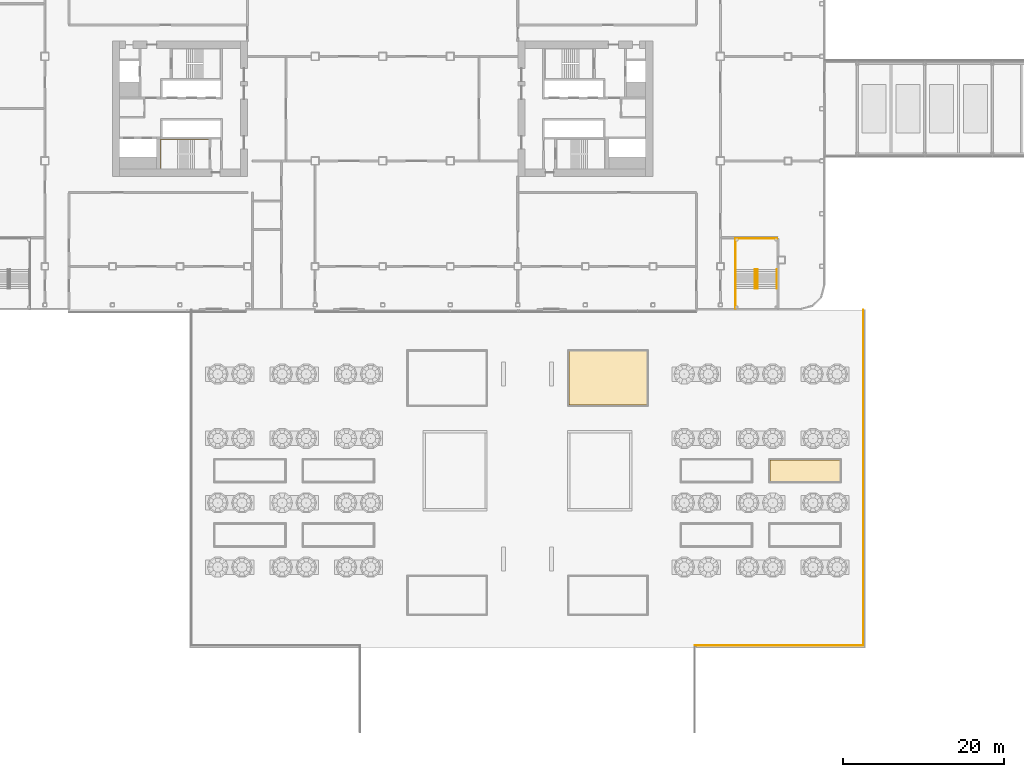
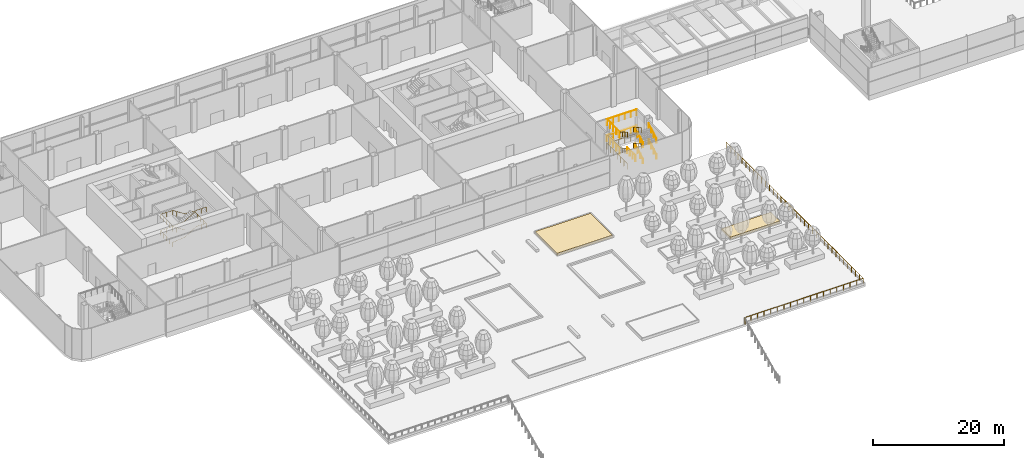
# One storey, part 87 of 100: 16 railings, 2 coverings.
"""IFC4 building model written with IfcOpenShell, lengths in metres."""

from ifc_helpers import new_model, si_unit, direction, frame, origin, origin_2d, place, context, subcontext, project, spatial, polyline, circle, outline, extrude, material, layer, layer_set, type_object, element, save


model = new_model("IFC4")

# Units and contexts
model_context = context("Model", 3, precision=1e-05, world=origin(), true_north=direction((0.0, 1.0)))
body_context = subcontext(model_context, "Body", "Model", "MODEL_VIEW")
ifc_project = project(units=[si_unit("LENGTHUNIT", "METRE"), si_unit("AREAUNIT", "SQUARE_METRE"), si_unit("VOLUMEUNIT", "CUBIC_METRE"), si_unit("PLANEANGLEUNIT", "RADIAN"), si_unit("MASSUNIT", "GRAM", prefix="KILO")], contexts=[model_context])

# Site, building, storey
site_placement = place(None, origin())
site = spatial("IfcSite", under=ifc_project, at=site_placement, CompositionType="ELEMENT")
building_placement = place(site_placement, origin())
building = spatial("IfcBuilding", under=site, at=building_placement, Name="Hakoniwa Tower and Hamabe Station Hall", CompositionType="ELEMENT")
storey_placement = place(building_placement, frame((0.0, 0.0, 9.0)))
storey = spatial("IfcBuildingStorey", under=building, at=storey_placement, Name="L02", CompositionType="ELEMENT", Elevation=9.0)

# Coverings
ifc_material_1 = material(Name="Planting soil and lawn")
ifc_layer_1 = layer(ifc_material_1, 0.39990234375)
ifc_layer_set_1 = layer_set([ifc_layer_1], Name="DECK BED LAWN 400")
covering_type_1 = type_object("IfcCoveringType", Name="DECK BED LAWN 400", PredefinedType="USERDEFINED", material=ifc_layer_set_1)
covering_1_placement = place(storey_placement, origin())
element("IfcCovering", 1, at=covering_1_placement, inside=storey, type_object=covering_type_1, Name="Lawn planting bed 04", ObjectType="PLANTING BED", PredefinedType="USERDEFINED", context=body_context, shape_type="SweptSolid", body=[
    extrude(outline(polyline([(23.14990234375, -36.85009765625), (32.85009765625, -36.85009765625), (32.85009765625, -30.14990234375), (23.14990234375, -30.14990234375), (23.14990234375, -36.85009765625)])), origin(), (0.0, 0.0, 1.0), 0.39990234375),
])
ifc_material_2 = material(Name="Shrub planting")
ifc_layer_2 = layer(ifc_material_2, 0.39990234375)
ifc_layer_set_2 = layer_set([ifc_layer_2], Name="DECK BED SHRUB 400")
covering_type_2 = type_object("IfcCoveringType", Name="DECK BED SHRUB 400", PredefinedType="USERDEFINED", material=ifc_layer_set_2)
covering_2_placement = place(storey_placement, origin())
element("IfcCovering", 2, at=covering_2_placement, inside=storey, type_object=covering_type_2, Name="Shrub planting bed 10", ObjectType="PLANTING BED", PredefinedType="USERDEFINED", context=body_context, shape_type="SweptSolid", body=[
    extrude(outline(polyline([(48.14990234375, -46.35009765625), (56.85009765625, -46.35009765625), (56.85009765625, -43.64990234375), (48.14990234375, -43.64990234375), (48.14990234375, -46.35009765625)])), origin(), (0.0, 0.0, 1.0), 0.39990234375),
])

# Railings
ifc_material_3 = material(Name="Stainless steel and glass", Category="steel")
railing_type_1 = type_object("IfcRailingType", Name="GUARD 1100", PredefinedType="GUARDRAIL", material=ifc_material_3)
railing_1_placement = place(storey_placement, frame((59.75, -25.0, 0.0)))
element("IfcRailing", 3, at=railing_1_placement, inside=storey, type_object=railing_type_1, Name="Deck guard east edge", PredefinedType="GUARDRAIL", context=body_context, shape_type="SweptSolid", body=[
    extrude(circle(Radius=0.02392578125, at=origin_2d()), frame((0.0, 0.0, 1.076171875), z_axis=(0.0, -1.0, 0.0), x_axis=(1.0, 0.0, 0.0)), (0.0, 0.0, 1.0), 41.75),
    extrude(circle(Radius=0.02392578125, at=origin_2d()), frame((0.0, -41.75, 1.076171875), z_axis=(-1.0, 0.0, 0.0), x_axis=(0.0, -1.0, 0.0)), (0.0, 0.0, 1.0), 20.949951171875),
    extrude(circle(Radius=0.02392578125, at=origin_2d()), frame((-20.949951171875, -41.75, 1.076171875), z_axis=(0.0, -1.0, 0.0), x_axis=(1.0, 0.0, 0.0)), (0.0, 0.0, 1.0), 0.25),
    extrude(circle(Radius=0.02099609375, at=origin_2d()), origin(), (0.0, 0.0, 1.0), 1.052001953125),
    extrude(circle(Radius=0.02099609375, at=origin_2d()), frame((0.0, -1.19287109375, 0.0)), (0.0, 0.0, 1.0), 1.052001953125),
    extrude(circle(Radius=0.02099609375, at=origin_2d()), frame((0.0, -2.3857421875, 0.0)), (0.0, 0.0, 1.0), 1.052001953125),
    extrude(circle(Radius=0.02099609375, at=origin_2d()), frame((0.0, -3.57861328125, 0.0)), (0.0, 0.0, 1.0), 1.052001953125),
    extrude(circle(Radius=0.02099609375, at=origin_2d()), frame((0.0, -4.771484375, 0.0)), (0.0, 0.0, 1.0), 1.052001953125),
    extrude(circle(Radius=0.02099609375, at=origin_2d()), frame((0.0, -5.96435546875, 0.0)), (0.0, 0.0, 1.0), 1.052001953125),
    extrude(circle(Radius=0.02099609375, at=origin_2d()), frame((0.0, -7.1572265625, 0.0)), (0.0, 0.0, 1.0), 1.052001953125),
    extrude(circle(Radius=0.02099609375, at=origin_2d()), frame((0.0, -8.35009765625, 0.0)), (0.0, 0.0, 1.0), 1.052001953125),
    extrude(circle(Radius=0.02099609375, at=origin_2d()), frame((0.0, -9.54296875, 0.0)), (0.0, 0.0, 1.0), 1.052001953125),
    extrude(circle(Radius=0.02099609375, at=origin_2d()), frame((0.0, -10.735595703125, 0.0)), (0.0, 0.0, 1.0), 1.052001953125),
    extrude(circle(Radius=0.02099609375, at=origin_2d()), frame((0.0, -11.928466796875, 0.0)), (0.0, 0.0, 1.0), 1.052001953125),
    extrude(circle(Radius=0.02099609375, at=origin_2d()), frame((0.0, -13.121337890625, 0.0)), (0.0, 0.0, 1.0), 1.052001953125),
    extrude(circle(Radius=0.02099609375, at=origin_2d()), frame((0.0, -14.314208984375, 0.0)), (0.0, 0.0, 1.0), 1.052001953125),
    extrude(circle(Radius=0.02099609375, at=origin_2d()), frame((0.0, -15.507080078125, 0.0)), (0.0, 0.0, 1.0), 1.052001953125),
    extrude(circle(Radius=0.02099609375, at=origin_2d()), frame((0.0, -16.699951171875, 0.0)), (0.0, 0.0, 1.0), 1.052001953125),
    extrude(circle(Radius=0.02099609375, at=origin_2d()), frame((0.0, -17.892822265625, 0.0)), (0.0, 0.0, 1.0), 1.052001953125),
    extrude(circle(Radius=0.02099609375, at=origin_2d()), frame((0.0, -19.085693359375, 0.0)), (0.0, 0.0, 1.0), 1.052001953125),
    extrude(circle(Radius=0.02099609375, at=origin_2d()), frame((0.0, -20.278564453125, 0.0)), (0.0, 0.0, 1.0), 1.052001953125),
    extrude(circle(Radius=0.02099609375, at=origin_2d()), frame((0.0, -21.471435546875, 0.0)), (0.0, 0.0, 1.0), 1.052001953125),
    extrude(circle(Radius=0.02099609375, at=origin_2d()), frame((0.0, -22.664306640625, 0.0)), (0.0, 0.0, 1.0), 1.052001953125),
    extrude(circle(Radius=0.02099609375, at=origin_2d()), frame((0.0, -23.857177734375, 0.0)), (0.0, 0.0, 1.0), 1.052001953125),
    extrude(circle(Radius=0.02099609375, at=origin_2d()), frame((0.0, -25.050048828125, 0.0)), (0.0, 0.0, 1.0), 1.052001953125),
    extrude(circle(Radius=0.02099609375, at=origin_2d()), frame((0.0, -26.242919921875, 0.0)), (0.0, 0.0, 1.0), 1.052001953125),
    extrude(circle(Radius=0.02099609375, at=origin_2d()), frame((0.0, -27.435791015625, 0.0)), (0.0, 0.0, 1.0), 1.052001953125),
    extrude(circle(Radius=0.02099609375, at=origin_2d()), frame((0.0, -28.628662109375, 0.0)), (0.0, 0.0, 1.0), 1.052001953125),
    extrude(circle(Radius=0.02099609375, at=origin_2d()), frame((0.0, -29.821533203125, 0.0)), (0.0, 0.0, 1.0), 1.052001953125),
    extrude(circle(Radius=0.02099609375, at=origin_2d()), frame((0.0, -31.014404296875, 0.0)), (0.0, 0.0, 1.0), 1.052001953125),
    extrude(circle(Radius=0.02099609375, at=origin_2d()), frame((0.0, -32.20703125, 0.0)), (0.0, 0.0, 1.0), 1.052001953125),
    extrude(circle(Radius=0.02099609375, at=origin_2d()), frame((0.0, -33.39990234375, 0.0)), (0.0, 0.0, 1.0), 1.052001953125),
    extrude(circle(Radius=0.02099609375, at=origin_2d()), frame((0.0, -34.5927734375, 0.0)), (0.0, 0.0, 1.0), 1.052001953125),
    extrude(circle(Radius=0.02099609375, at=origin_2d()), frame((0.0, -35.78564453125, 0.0)), (0.0, 0.0, 1.0), 1.052001953125),
    extrude(circle(Radius=0.02099609375, at=origin_2d()), frame((0.0, -36.978515625, 0.0)), (0.0, 0.0, 1.0), 1.052001953125),
    extrude(circle(Radius=0.02099609375, at=origin_2d()), frame((0.0, -38.17138671875, 0.0)), (0.0, 0.0, 1.0), 1.052001953125),
    extrude(circle(Radius=0.02099609375, at=origin_2d()), frame((0.0, -39.3642578125, 0.0)), (0.0, 0.0, 1.0), 1.052001953125),
    extrude(circle(Radius=0.02099609375, at=origin_2d()), frame((0.0, -40.55712890625, 0.0)), (0.0, 0.0, 1.0), 1.052001953125),
    extrude(circle(Radius=0.02099609375, at=origin_2d()), frame((0.0, -41.75, 0.0)), (0.0, 0.0, 1.0), 1.052001953125),
    extrude(circle(Radius=0.02099609375, at=origin_2d()), frame((-1.163818359375, -41.75, 0.0)), (0.0, 0.0, 1.0), 1.052001953125),
    extrude(circle(Radius=0.02099609375, at=origin_2d()), frame((-2.327880859375, -41.75, 0.0)), (0.0, 0.0, 1.0), 1.052001953125),
    extrude(circle(Radius=0.02099609375, at=origin_2d()), frame((-3.49169921875, -41.75, 0.0)), (0.0, 0.0, 1.0), 1.052001953125),
    extrude(circle(Radius=0.02099609375, at=origin_2d()), frame((-4.655517578125, -41.75, 0.0)), (0.0, 0.0, 1.0), 1.052001953125),
    extrude(circle(Radius=0.02099609375, at=origin_2d()), frame((-5.8193359375, -41.75, 0.0)), (0.0, 0.0, 1.0), 1.052001953125),
    extrude(circle(Radius=0.02099609375, at=origin_2d()), frame((-6.9833984375, -41.75, 0.0)), (0.0, 0.0, 1.0), 1.052001953125),
    extrude(circle(Radius=0.02099609375, at=origin_2d()), frame((-8.147216796875, -41.75, 0.0)), (0.0, 0.0, 1.0), 1.052001953125),
    extrude(circle(Radius=0.02099609375, at=origin_2d()), frame((-9.31103515625, -41.75, 0.0)), (0.0, 0.0, 1.0), 1.052001953125),
    extrude(circle(Radius=0.02099609375, at=origin_2d()), frame((-10.47509765625, -41.75, 0.0)), (0.0, 0.0, 1.0), 1.052001953125),
    extrude(circle(Radius=0.02099609375, at=origin_2d()), frame((-11.638916015625, -41.75, 0.0)), (0.0, 0.0, 1.0), 1.052001953125),
    extrude(circle(Radius=0.02099609375, at=origin_2d()), frame((-12.802734375, -41.75, 0.0)), (0.0, 0.0, 1.0), 1.052001953125),
    extrude(circle(Radius=0.02099609375, at=origin_2d()), frame((-13.966552734375, -41.75, 0.0)), (0.0, 0.0, 1.0), 1.052001953125),
    extrude(circle(Radius=0.02099609375, at=origin_2d()), frame((-15.130615234375, -41.75, 0.0)), (0.0, 0.0, 1.0), 1.052001953125),
    extrude(circle(Radius=0.02099609375, at=origin_2d()), frame((-16.29443359375, -41.75, 0.0)), (0.0, 0.0, 1.0), 1.052001953125),
    extrude(circle(Radius=0.02099609375, at=origin_2d()), frame((-17.458251953125, -41.75, 0.0)), (0.0, 0.0, 1.0), 1.052001953125),
    extrude(circle(Radius=0.02099609375, at=origin_2d()), frame((-18.6220703125, -41.75, 0.0)), (0.0, 0.0, 1.0), 1.052001953125),
    extrude(circle(Radius=0.02099609375, at=origin_2d()), frame((-19.7861328125, -41.75, 0.0)), (0.0, 0.0, 1.0), 1.052001953125),
    extrude(circle(Radius=0.02099609375, at=origin_2d()), frame((-20.949951171875, -41.75, 0.0)), (0.0, 0.0, 1.0), 1.052001953125),
    extrude(circle(Radius=0.02099609375, at=origin_2d()), frame((-20.949951171875, -42.0, 0.0)), (0.0, 0.0, 1.0), 1.052001953125),
])
railing_2_placement = place(storey_placement, frame((43.85009765625, -20.010009765625, 1.5)))
element("IfcRailing", 4, at=railing_2_placement, inside=storey, type_object=railing_type_1, Name="Guard at landing PS3 1", PredefinedType="GUARDRAIL", context=body_context, shape_type="SweptSolid", body=[
    extrude(circle(Radius=0.02392578125, at=origin_2d()), frame((0.0, 0.0, 1.076171875), z_axis=(0.0, 1.0, 0.0), x_axis=(-1.0, 0.0, 0.0)), (0.0, 0.0, 1.0), 3.860107421875),
    extrude(circle(Radius=0.02099609375, at=origin_2d()), origin(), (0.0, 0.0, 1.0), 1.052001953125),
    extrude(circle(Radius=0.02099609375, at=origin_2d()), frame((0.0, 0.965087890625, 0.0)), (0.0, 0.0, 1.0), 1.052001953125),
    extrude(circle(Radius=0.02099609375, at=origin_2d()), frame((0.0, 1.93017578125, 0.0)), (0.0, 0.0, 1.0), 1.052001953125),
    extrude(circle(Radius=0.02099609375, at=origin_2d()), frame((0.0, 2.89501953125, 0.0)), (0.0, 0.0, 1.0), 1.052001953125),
    extrude(circle(Radius=0.02099609375, at=origin_2d()), frame((0.0, 3.860107421875, 0.0)), (0.0, 0.0, 1.0), 1.052001953125),
])
railing_3_placement = place(storey_placement, frame((49.050048828125, -16.14990234375, 1.5)))
element("IfcRailing", 5, at=railing_3_placement, inside=storey, type_object=railing_type_1, Name="Guard at landing PS3 2", PredefinedType="GUARDRAIL", context=body_context, shape_type="SweptSolid", body=[
    extrude(circle(Radius=0.02392578125, at=origin_2d()), frame((0.0, 0.0, 1.076171875), z_axis=(-1.0, 0.0, 0.0), x_axis=(0.0, -1.0, 0.0)), (0.0, 0.0, 1.0), 5.199951171875),
    extrude(circle(Radius=0.02099609375, at=origin_2d()), origin(), (0.0, 0.0, 1.0), 1.052001953125),
    extrude(circle(Radius=0.02099609375, at=origin_2d()), frame((-1.0400390625, 0.0, 0.0)), (0.0, 0.0, 1.0), 1.052001953125),
    extrude(circle(Radius=0.02099609375, at=origin_2d()), frame((-2.080078125, 0.0, 0.0)), (0.0, 0.0, 1.0), 1.052001953125),
    extrude(circle(Radius=0.02099609375, at=origin_2d()), frame((-3.119873046875, 0.0, 0.0)), (0.0, 0.0, 1.0), 1.052001953125),
    extrude(circle(Radius=0.02099609375, at=origin_2d()), frame((-4.159912109375, 0.0, 0.0)), (0.0, 0.0, 1.0), 1.052001953125),
    extrude(circle(Radius=0.02099609375, at=origin_2d()), frame((-5.199951171875, 0.0, 0.0)), (0.0, 0.0, 1.0), 1.052001953125),
])
railing_4_placement = place(storey_placement, frame((43.85009765625, -24.85009765625, 3.0)))
element("IfcRailing", 6, at=railing_4_placement, inside=storey, type_object=railing_type_1, Name="Guard at landing PS3 3", PredefinedType="GUARDRAIL", context=body_context, shape_type="SweptSolid", body=[
    extrude(circle(Radius=0.02392578125, at=origin_2d()), frame((0.0, 0.0, 1.076171875), z_axis=(0.0, 1.0, 0.0), x_axis=(-1.0, 0.0, 0.0)), (0.0, 0.0, 1.0), 2.5),
    extrude(circle(Radius=0.02099609375, at=origin_2d()), origin(), (0.0, 0.0, 1.0), 1.052001953125),
    extrude(circle(Radius=0.02099609375, at=origin_2d()), frame((0.0, 0.833251953125, 0.0)), (0.0, 0.0, 1.0), 1.052001953125),
    extrude(circle(Radius=0.02099609375, at=origin_2d()), frame((0.0, 1.666748046875, 0.0)), (0.0, 0.0, 1.0), 1.052001953125),
    extrude(circle(Radius=0.02099609375, at=origin_2d()), frame((0.0, 2.5, 0.0)), (0.0, 0.0, 1.0), 1.052001953125),
])
railing_5_placement = place(storey_placement, frame((43.85009765625, -20.010009765625, 4.5)))
element("IfcRailing", 7, at=railing_5_placement, inside=storey, type_object=railing_type_1, Name="Guard at landing PS3 4", PredefinedType="GUARDRAIL", context=body_context, shape_type="SweptSolid", body=[
    extrude(circle(Radius=0.02392578125, at=origin_2d()), frame((0.0, 0.0, 1.076171875), z_axis=(0.0, 1.0, 0.0), x_axis=(-1.0, 0.0, 0.0)), (0.0, 0.0, 1.0), 3.860107421875),
    extrude(circle(Radius=0.02099609375, at=origin_2d()), origin(), (0.0, 0.0, 1.0), 1.052001953125),
    extrude(circle(Radius=0.02099609375, at=origin_2d()), frame((0.0, 0.965087890625, 0.0)), (0.0, 0.0, 1.0), 1.052001953125),
    extrude(circle(Radius=0.02099609375, at=origin_2d()), frame((0.0, 1.93017578125, 0.0)), (0.0, 0.0, 1.0), 1.052001953125),
    extrude(circle(Radius=0.02099609375, at=origin_2d()), frame((0.0, 2.89501953125, 0.0)), (0.0, 0.0, 1.0), 1.052001953125),
    extrude(circle(Radius=0.02099609375, at=origin_2d()), frame((0.0, 3.860107421875, 0.0)), (0.0, 0.0, 1.0), 1.052001953125),
])
railing_6_placement = place(storey_placement, frame((49.050048828125, -16.14990234375, 4.5)))
element("IfcRailing", 8, at=railing_6_placement, inside=storey, type_object=railing_type_1, Name="Guard at landing PS3 5", PredefinedType="GUARDRAIL", context=body_context, shape_type="SweptSolid", body=[
    extrude(circle(Radius=0.02392578125, at=origin_2d()), frame((0.0, 0.0, 1.076171875), z_axis=(-1.0, 0.0, 0.0), x_axis=(0.0, -1.0, 0.0)), (0.0, 0.0, 1.0), 5.199951171875),
    extrude(circle(Radius=0.02099609375, at=origin_2d()), origin(), (0.0, 0.0, 1.0), 1.052001953125),
    extrude(circle(Radius=0.02099609375, at=origin_2d()), frame((-1.0400390625, 0.0, 0.0)), (0.0, 0.0, 1.0), 1.052001953125),
    extrude(circle(Radius=0.02099609375, at=origin_2d()), frame((-2.080078125, 0.0, 0.0)), (0.0, 0.0, 1.0), 1.052001953125),
    extrude(circle(Radius=0.02099609375, at=origin_2d()), frame((-3.119873046875, 0.0, 0.0)), (0.0, 0.0, 1.0), 1.052001953125),
    extrude(circle(Radius=0.02099609375, at=origin_2d()), frame((-4.159912109375, 0.0, 0.0)), (0.0, 0.0, 1.0), 1.052001953125),
    extrude(circle(Radius=0.02099609375, at=origin_2d()), frame((-5.199951171875, 0.0, 0.0)), (0.0, 0.0, 1.0), 1.052001953125),
])
railing_7_placement = place(storey_placement, frame((43.85009765625, -22.340087890625, 0.0)))
element("IfcRailing", 9, at=railing_7_placement, inside=storey, type_object=railing_type_1, Name="Guard at stair well PS3", PredefinedType="GUARDRAIL", context=body_context, shape_type="SweptSolid", body=[
    extrude(circle(Radius=0.02392578125, at=origin_2d()), frame((0.0, 0.0, 1.076171875), z_axis=(0.0, 1.0, 0.0), x_axis=(-1.0, 0.0, 0.0)), (0.0, 0.0, 1.0), 6.190185546875),
    extrude(circle(Radius=0.02392578125, at=origin_2d()), frame((0.0, 6.190185546875, 1.076171875), z_axis=(1.0, 0.0, 0.0), x_axis=(0.0, 1.0, 0.0)), (0.0, 0.0, 1.0), 5.199951171875),
    extrude(circle(Radius=0.02099609375, at=origin_2d()), origin(), (0.0, 0.0, 1.0), 1.052001953125),
    extrude(circle(Radius=0.02099609375, at=origin_2d()), frame((0.0, 1.03173828125, 0.0)), (0.0, 0.0, 1.0), 1.052001953125),
    extrude(circle(Radius=0.02099609375, at=origin_2d()), frame((0.0, 2.0634765625, 0.0)), (0.0, 0.0, 1.0), 1.052001953125),
    extrude(circle(Radius=0.02099609375, at=origin_2d()), frame((0.0, 3.09521484375, 0.0)), (0.0, 0.0, 1.0), 1.052001953125),
    extrude(circle(Radius=0.02099609375, at=origin_2d()), frame((0.0, 4.126708984375, 0.0)), (0.0, 0.0, 1.0), 1.052001953125),
    extrude(circle(Radius=0.02099609375, at=origin_2d()), frame((0.0, 5.158447265625, 0.0)), (0.0, 0.0, 1.0), 1.052001953125),
    extrude(circle(Radius=0.02099609375, at=origin_2d()), frame((0.0, 6.190185546875, 0.0)), (0.0, 0.0, 1.0), 1.052001953125),
    extrude(circle(Radius=0.02099609375, at=origin_2d()), frame((1.0400390625, 6.190185546875, 0.0)), (0.0, 0.0, 1.0), 1.052001953125),
    extrude(circle(Radius=0.02099609375, at=origin_2d()), frame((2.080078125, 6.190185546875, 0.0)), (0.0, 0.0, 1.0), 1.052001953125),
    extrude(circle(Radius=0.02099609375, at=origin_2d()), frame((3.119873046875, 6.190185546875, 0.0)), (0.0, 0.0, 1.0), 1.052001953125),
    extrude(circle(Radius=0.02099609375, at=origin_2d()), frame((4.159912109375, 6.190185546875, 0.0)), (0.0, 0.0, 1.0), 1.052001953125),
    extrude(circle(Radius=0.02099609375, at=origin_2d()), frame((5.199951171875, 6.190185546875, 0.0)), (0.0, 0.0, 1.0), 1.052001953125),
])
ifc_material_4 = material(Name="Stainless steel SUS304", Category="steel")
railing_type_2 = type_object("IfcRailingType", Name="HANDRAIL 900", PredefinedType="HANDRAIL", material=ifc_material_4)
for number, where, name in (
    (10, (49.0, -22.35009765625, 0.14990234375), "Handrail PS3 1"),
    (11, (46.60009765625, -22.35009765625, 0.14990234375), "Handrail PS3 2"),
):
    element("IfcRailing", number, at=place(storey_placement, frame(where)), inside=storey, type_object=railing_type_2, Name=name, PredefinedType="HANDRAIL", context=body_context, shape_type="SweptSolid", body=[
        extrude(circle(Radius=0.02392578125, at=origin_2d()), frame((0.0, 0.0, 0.8759765625), z_axis=(0.0, 0.866178063635, 0.499735492113), x_axis=(-1.0, 0.0, 0.0)), (0.0, 0.0, 1.0), 2.70166015625),
        extrude(circle(Radius=0.02099609375, at=origin_2d()), origin(), (0.0, 0.0, 1.0), 0.851806640625),
        extrude(circle(Radius=0.02099609375, at=origin_2d()), frame((0.0, 0.780029296875, 0.449951171875)), (0.0, 0.0, 1.0), 0.851806640625),
        extrude(circle(Radius=0.02099609375, at=origin_2d()), frame((0.0, 1.56005859375, 0.900146484375)), (0.0, 0.0, 1.0), 0.851806640625),
        extrude(circle(Radius=0.02099609375, at=origin_2d()), frame((0.0, 2.340087890625, 1.35009765625)), (0.0, 0.0, 1.0), 0.851806640625),
    ])
for number, where, name in (
    (12, (46.300048828125, -20.010009765625, 1.64990234375), "Handrail PS3 3"),
    (13, (43.89990234375, -20.010009765625, 1.64990234375), "Handrail PS3 4"),
):
    element("IfcRailing", number, at=place(storey_placement, frame(where)), inside=storey, type_object=railing_type_2, Name=name, PredefinedType="HANDRAIL", context=body_context, shape_type="SweptSolid", body=[
        extrude(circle(Radius=0.02392578125, at=origin_2d()), frame((0.0, 0.0, 0.8759765625), z_axis=(0.0, -0.866178063635, 0.499735492113), x_axis=(1.0, 0.0, 0.0)), (0.0, 0.0, 1.0), 2.70166015625),
        extrude(circle(Radius=0.02099609375, at=origin_2d()), origin(), (0.0, 0.0, 1.0), 0.851806640625),
        extrude(circle(Radius=0.02099609375, at=origin_2d()), frame((0.0, -0.780029296875, 0.449951171875)), (0.0, 0.0, 1.0), 0.851806640625),
        extrude(circle(Radius=0.02099609375, at=origin_2d()), frame((0.0, -1.56005859375, 0.900146484375)), (0.0, 0.0, 1.0), 0.851806640625),
        extrude(circle(Radius=0.02099609375, at=origin_2d()), frame((0.0, -2.340087890625, 1.35009765625)), (0.0, 0.0, 1.0), 0.851806640625),
    ])
for number, where, name in (
    (14, (49.0, -22.35009765625, 3.14990234375), "Handrail PS3 5"),
    (15, (46.60009765625, -22.35009765625, 3.14990234375), "Handrail PS3 6"),
):
    element("IfcRailing", number, at=place(storey_placement, frame(where)), inside=storey, type_object=railing_type_2, Name=name, PredefinedType="HANDRAIL", context=body_context, shape_type="SweptSolid", body=[
        extrude(circle(Radius=0.02392578125, at=origin_2d()), frame((0.0, 0.0, 0.8759765625), z_axis=(0.0, 0.866178063635, 0.499735492113), x_axis=(-1.0, 0.0, 0.0)), (0.0, 0.0, 1.0), 2.70166015625),
        extrude(circle(Radius=0.02099609375, at=origin_2d()), origin(), (0.0, 0.0, 1.0), 0.851806640625),
        extrude(circle(Radius=0.02099609375, at=origin_2d()), frame((0.0, 0.780029296875, 0.449951171875)), (0.0, 0.0, 1.0), 0.851806640625),
        extrude(circle(Radius=0.02099609375, at=origin_2d()), frame((0.0, 1.56005859375, 0.900146484375)), (0.0, 0.0, 1.0), 0.851806640625),
        extrude(circle(Radius=0.02099609375, at=origin_2d()), frame((0.0, 2.340087890625, 1.35009765625)), (0.0, 0.0, 1.0), 0.851806640625),
    ])
for number, where, name in (
    (16, (46.300048828125, -20.010009765625, 4.64990234375), "Handrail PS3 7"),
    (17, (43.89990234375, -20.010009765625, 4.64990234375), "Handrail PS3 8"),
):
    element("IfcRailing", number, at=place(storey_placement, frame(where)), inside=storey, type_object=railing_type_2, Name=name, PredefinedType="HANDRAIL", context=body_context, shape_type="SweptSolid", body=[
        extrude(circle(Radius=0.02392578125, at=origin_2d()), frame((0.0, 0.0, 0.8759765625), z_axis=(0.0, -0.866178063635, 0.499735492113), x_axis=(1.0, 0.0, 0.0)), (0.0, 0.0, 1.0), 2.70166015625),
        extrude(circle(Radius=0.02099609375, at=origin_2d()), origin(), (0.0, 0.0, 1.0), 0.851806640625),
        extrude(circle(Radius=0.02099609375, at=origin_2d()), frame((0.0, -0.780029296875, 0.449951171875)), (0.0, 0.0, 1.0), 0.851806640625),
        extrude(circle(Radius=0.02099609375, at=origin_2d()), frame((0.0, -1.56005859375, 0.900146484375)), (0.0, 0.0, 1.0), 0.851806640625),
        extrude(circle(Radius=0.02099609375, at=origin_2d()), frame((0.0, -2.340087890625, 1.35009765625)), (0.0, 0.0, 1.0), 0.851806640625),
    ])
ifc_material_5 = material(Name="Stainless steel SUS304", Category="steel")
railing_type_3 = type_object("IfcRailingType", Name="STAIR HANDRAIL 900", PredefinedType="HANDRAIL", material=ifc_material_5)
railing_8_placement = place(storey_placement, frame((-23.39990234375, -3.81005859375, 0.166748046875)))
element("IfcRailing", 18, at=railing_8_placement, inside=storey, type_object=railing_type_3, Name="Handrail ST-2 L02 1", PredefinedType="HANDRAIL", context=body_context, shape_type="SweptSolid", body=[
    extrude(circle(Radius=0.02392578125, at=origin_2d()), frame((0.0, 0.0, 0.8759765625), z_axis=(-0.841903312325, 0.0, 0.539628402418), x_axis=(0.0, -1.0, 0.0)), (0.0, 0.0, 1.0), 2.470703125),
    extrude(circle(Radius=0.02392578125, at=origin_2d()), frame((-2.080078125, 0.0, 2.208984375), z_axis=(-1.0, 0.0, 0.0), x_axis=(0.0, -1.0, 0.0)), (0.0, 0.0, 1.0), 2.110107421875),
    extrude(circle(Radius=0.02392578125, at=origin_2d()), frame((-4.190185546875, 0.0, 2.208984375), z_axis=(0.0, -1.0, 0.0), x_axis=(1.0, 0.0, 0.0)), (0.0, 0.0, 1.0), 3.6298828125),
    extrude(circle(Radius=0.02392578125, at=origin_2d()), frame((-4.190185546875, -3.6298828125, 2.208984375), z_axis=(0.996892192206, 0.0, 0.078777897406), x_axis=(0.0, 1.0, 0.0)), (0.0, 0.0, 1.0), 2.11669921875),
    extrude(circle(Radius=0.02392578125, at=origin_2d()), frame((-2.080078125, -3.6298828125, 2.3759765625), z_axis=(0.841903312325, 0.0, 0.539628402418), x_axis=(0.0, 1.0, 0.0)), (0.0, 0.0, 1.0), 2.470703125),
    extrude(circle(Radius=0.02392578125, at=origin_2d()), frame((0.0, -3.6298828125, 3.708984375), z_axis=(1.0, 0.0, 0.0), x_axis=(0.0, 1.0, 0.0)), (0.0, 0.0, 1.0), 1.739990234375),
    extrude(circle(Radius=0.02392578125, at=origin_2d()), frame((1.739990234375, -3.6298828125, 3.708984375), z_axis=(0.0, 1.0, 0.0), x_axis=(-1.0, 0.0, 0.0)), (0.0, 0.0, 1.0), 3.6298828125),
    extrude(circle(Radius=0.02392578125, at=origin_2d()), frame((1.739990234375, 0.0, 3.708984375), z_axis=(-0.995439431117, 0.0, 0.09539569685), x_axis=(0.0, -1.0, 0.0)), (0.0, 0.0, 1.0), 1.748046875),
    extrude(circle(Radius=0.02392578125, at=origin_2d()), frame((0.0, 0.0, 3.8759765625), z_axis=(-0.841903312325, 0.0, 0.539628402418), x_axis=(0.0, -1.0, 0.0)), (0.0, 0.0, 1.0), 2.470703125),
    extrude(circle(Radius=0.02392578125, at=origin_2d()), frame((-2.080078125, 0.0, 5.208984375), z_axis=(-1.0, 0.0, 0.0), x_axis=(0.0, -1.0, 0.0)), (0.0, 0.0, 1.0), 2.110107421875),
    extrude(circle(Radius=0.02392578125, at=origin_2d()), frame((-4.190185546875, 0.0, 5.208984375), z_axis=(0.0, -1.0, 0.0), x_axis=(1.0, 0.0, 0.0)), (0.0, 0.0, 1.0), 3.6298828125),
    extrude(circle(Radius=0.02392578125, at=origin_2d()), frame((-4.190185546875, -3.6298828125, 5.208984375), z_axis=(0.996892192206, 0.0, 0.078777897406), x_axis=(0.0, 1.0, 0.0)), (0.0, 0.0, 1.0), 2.11669921875),
    extrude(circle(Radius=0.02392578125, at=origin_2d()), frame((-2.080078125, -3.6298828125, 5.3759765625), z_axis=(0.841903312325, 0.0, 0.539628402418), x_axis=(0.0, 1.0, 0.0)), (0.0, 0.0, 1.0), 2.470703125),
    extrude(circle(Radius=0.02392578125, at=origin_2d()), frame((0.0, -3.6298828125, 6.708984375), z_axis=(1.0, 0.0, 0.0), x_axis=(0.0, 1.0, 0.0)), (0.0, 0.0, 1.0), 1.739990234375),
    extrude(circle(Radius=0.02099609375, at=origin_2d()), origin(), (0.0, 0.0, 1.0), 0.851806640625),
    extrude(circle(Radius=0.02099609375, at=origin_2d()), frame((-0.693359375, 0.0, 0.4443359375)), (0.0, 0.0, 1.0), 0.851806640625),
    extrude(circle(Radius=0.02099609375, at=origin_2d()), frame((-1.38671875, 0.0, 0.888916015625)), (0.0, 0.0, 1.0), 0.851806640625),
    extrude(circle(Radius=0.02099609375, at=origin_2d()), frame((-2.080078125, 0.0, 1.333251953125)), (0.0, 0.0, 1.0), 0.851806640625),
    extrude(circle(Radius=0.02099609375, at=origin_2d()), frame((-3.13525390625, 0.0, 1.333251953125)), (0.0, 0.0, 1.0), 0.851806640625),
    extrude(circle(Radius=0.02099609375, at=origin_2d()), frame((-4.190185546875, 0.0, 1.333251953125)), (0.0, 0.0, 1.0), 0.851806640625),
    extrude(circle(Radius=0.02099609375, at=origin_2d()), frame((-4.190185546875, -0.907470703125, 1.333251953125)), (0.0, 0.0, 1.0), 0.851806640625),
    extrude(circle(Radius=0.02099609375, at=origin_2d()), frame((-4.190185546875, -1.81494140625, 1.333251953125)), (0.0, 0.0, 1.0), 0.851806640625),
    extrude(circle(Radius=0.02099609375, at=origin_2d()), frame((-4.190185546875, -2.722412109375, 1.333251953125)), (0.0, 0.0, 1.0), 0.851806640625),
    extrude(circle(Radius=0.02099609375, at=origin_2d()), frame((-4.190185546875, -3.6298828125, 1.333251953125)), (0.0, 0.0, 1.0), 0.851806640625),
    extrude(circle(Radius=0.02099609375, at=origin_2d()), frame((-3.13525390625, -3.6298828125, 1.41650390625)), (0.0, 0.0, 1.0), 0.851806640625),
    extrude(circle(Radius=0.02099609375, at=origin_2d()), frame((-2.080078125, -3.6298828125, 1.5)), (0.0, 0.0, 1.0), 0.851806640625),
    extrude(circle(Radius=0.02099609375, at=origin_2d()), frame((-1.38671875, -3.6298828125, 1.9443359375)), (0.0, 0.0, 1.0), 0.851806640625),
    extrude(circle(Radius=0.02099609375, at=origin_2d()), frame((-0.693359375, -3.6298828125, 2.388916015625)), (0.0, 0.0, 1.0), 0.851806640625),
    extrude(circle(Radius=0.02099609375, at=origin_2d()), frame((0.0, -3.6298828125, 2.833251953125)), (0.0, 0.0, 1.0), 0.851806640625),
    extrude(circle(Radius=0.02099609375, at=origin_2d()), frame((0.8701171875, -3.6298828125, 2.833251953125)), (0.0, 0.0, 1.0), 0.851806640625),
    extrude(circle(Radius=0.02099609375, at=origin_2d()), frame((1.739990234375, -3.6298828125, 2.833251953125)), (0.0, 0.0, 1.0), 0.851806640625),
    extrude(circle(Radius=0.02099609375, at=origin_2d()), frame((1.739990234375, -2.722412109375, 2.833251953125)), (0.0, 0.0, 1.0), 0.851806640625),
    extrude(circle(Radius=0.02099609375, at=origin_2d()), frame((1.739990234375, -1.81494140625, 2.833251953125)), (0.0, 0.0, 1.0), 0.851806640625),
    extrude(circle(Radius=0.02099609375, at=origin_2d()), frame((1.739990234375, -0.907470703125, 2.833251953125)), (0.0, 0.0, 1.0), 0.851806640625),
    extrude(circle(Radius=0.02099609375, at=origin_2d()), frame((1.739990234375, 0.0, 2.833251953125)), (0.0, 0.0, 1.0), 0.851806640625),
    extrude(circle(Radius=0.02099609375, at=origin_2d()), frame((0.8701171875, 0.0, 2.91650390625)), (0.0, 0.0, 1.0), 0.851806640625),
    extrude(circle(Radius=0.02099609375, at=origin_2d()), frame((0.0, 0.0, 3.0)), (0.0, 0.0, 1.0), 0.851806640625),
    extrude(circle(Radius=0.02099609375, at=origin_2d()), frame((-0.693359375, 0.0, 3.4443359375)), (0.0, 0.0, 1.0), 0.851806640625),
    extrude(circle(Radius=0.02099609375, at=origin_2d()), frame((-1.38671875, 0.0, 3.888916015625)), (0.0, 0.0, 1.0), 0.851806640625),
    extrude(circle(Radius=0.02099609375, at=origin_2d()), frame((-2.080078125, 0.0, 4.333251953125)), (0.0, 0.0, 1.0), 0.851806640625),
    extrude(circle(Radius=0.02099609375, at=origin_2d()), frame((-3.13525390625, 0.0, 4.333251953125)), (0.0, 0.0, 1.0), 0.851806640625),
    extrude(circle(Radius=0.02099609375, at=origin_2d()), frame((-4.190185546875, 0.0, 4.333251953125)), (0.0, 0.0, 1.0), 0.851806640625),
    extrude(circle(Radius=0.02099609375, at=origin_2d()), frame((-4.190185546875, -0.907470703125, 4.333251953125)), (0.0, 0.0, 1.0), 0.851806640625),
    extrude(circle(Radius=0.02099609375, at=origin_2d()), frame((-4.190185546875, -1.81494140625, 4.333251953125)), (0.0, 0.0, 1.0), 0.851806640625),
    extrude(circle(Radius=0.02099609375, at=origin_2d()), frame((-4.190185546875, -2.722412109375, 4.333251953125)), (0.0, 0.0, 1.0), 0.851806640625),
    extrude(circle(Radius=0.02099609375, at=origin_2d()), frame((-4.190185546875, -3.6298828125, 4.333251953125)), (0.0, 0.0, 1.0), 0.851806640625),
    extrude(circle(Radius=0.02099609375, at=origin_2d()), frame((-3.13525390625, -3.6298828125, 4.41650390625)), (0.0, 0.0, 1.0), 0.851806640625),
    extrude(circle(Radius=0.02099609375, at=origin_2d()), frame((-2.080078125, -3.6298828125, 4.5)), (0.0, 0.0, 1.0), 0.851806640625),
    extrude(circle(Radius=0.02099609375, at=origin_2d()), frame((-1.38671875, -3.6298828125, 4.9443359375)), (0.0, 0.0, 1.0), 0.851806640625),
    extrude(circle(Radius=0.02099609375, at=origin_2d()), frame((-0.693359375, -3.6298828125, 5.388916015625)), (0.0, 0.0, 1.0), 0.851806640625),
    extrude(circle(Radius=0.02099609375, at=origin_2d()), frame((0.0, -3.6298828125, 5.833251953125)), (0.0, 0.0, 1.0), 0.851806640625),
    extrude(circle(Radius=0.02099609375, at=origin_2d()), frame((0.8701171875, -3.6298828125, 5.833251953125)), (0.0, 0.0, 1.0), 0.851806640625),
    extrude(circle(Radius=0.02099609375, at=origin_2d()), frame((1.739990234375, -3.6298828125, 5.833251953125)), (0.0, 0.0, 1.0), 0.851806640625),
])

save(model, "model.ifc")
